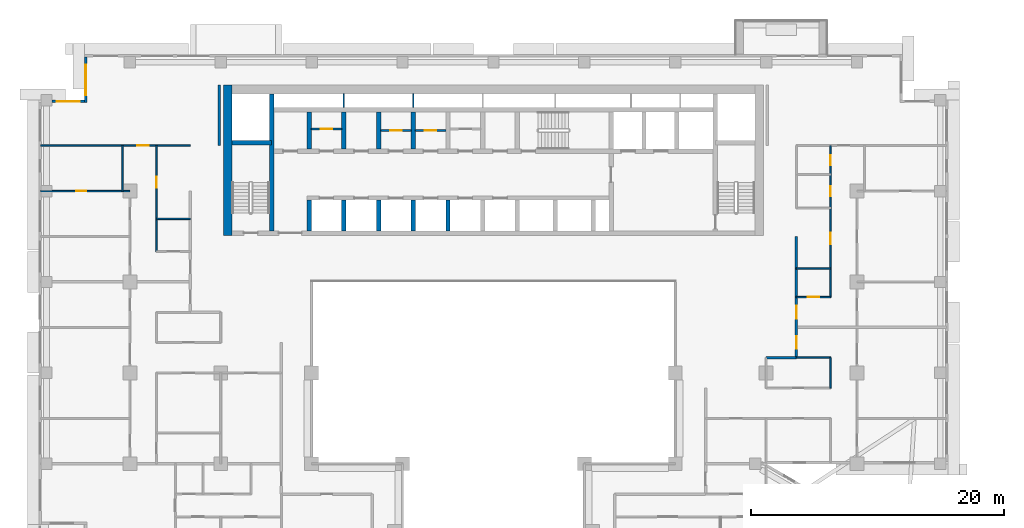
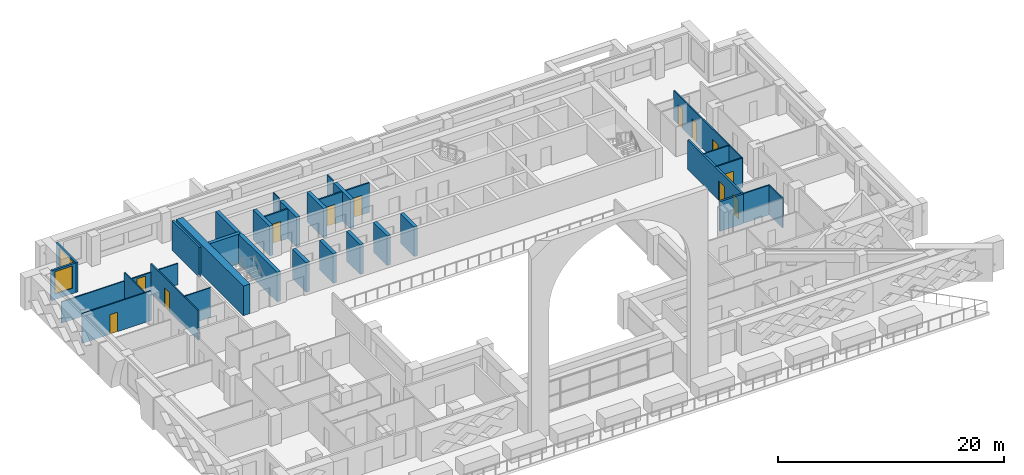
# One storey, part 9 of 17: 32 walls, 12 doors, 2 windows, 14 openings.
"""IFC4 building model written with IfcOpenShell, lengths in metres."""

from ifc_helpers import new_model, si_unit, direction, frame, frame_2d, origin, place, context, subcontext, project, spatial, rectangle, extrude, material, layer, layer_set, type_object, element, fill, save


model = new_model("IFC4")

# Units and contexts
model_context = context("Model", 3, precision=1e-05, world=origin(), true_north=direction((0.0, 1.0)))
body_context = subcontext(model_context, "Body", "Model", "MODEL_VIEW")
ifc_project = project(units=[si_unit("LENGTHUNIT", "METRE"), si_unit("AREAUNIT", "SQUARE_METRE"), si_unit("VOLUMEUNIT", "CUBIC_METRE"), si_unit("PLANEANGLEUNIT", "RADIAN"), si_unit("MASSUNIT", "GRAM", prefix="KILO")], contexts=[model_context])

# Site, building, storey
site_placement = place(None, origin())
site = spatial("IfcSite", under=ifc_project, at=site_placement, CompositionType="ELEMENT")
building_placement = place(site_placement, origin())
building = spatial("IfcBuilding", under=site, at=building_placement, Name="Saffron Iwan Residences", CompositionType="ELEMENT")
storey_placement = place(building_placement, frame((0.0, 0.0, 113.0)))
storey = spatial("IfcBuildingStorey", under=building, at=storey_placement, Name="L29", CompositionType="ELEMENT", Elevation=113.0)

# Wall, opening, door
ifc_material_1 = material(Name="Fire-rated plasterboard partition")
ifc_layer_1 = layer(ifc_material_1, 0.14990234375)
ifc_layer_set_1 = layer_set([ifc_layer_1], Name="Fire-rated plasterboard partition")
wall_type_1 = type_object("IfcWallType", Name="Core partition 150", PredefinedType="PARTITIONING", material=ifc_layer_set_1)
wall_1_placement = place(storey_placement, frame((35.97509765625, 74.51806640625, 0.0), z_axis=(0.0, 0.0, 1.0), x_axis=(1.0, 0.0, 0.0)))
wall_1 = element("IfcWall", 1, at=wall_1_placement, inside=storey, type_object=wall_type_1, Name="Core partition P01", PredefinedType="PARTITIONING", context=body_context, shape_type="SweptSolid", body=[
    extrude(rectangle(XDim=2.39990234375, YDim=0.14990234375, at=frame_2d((1.199951171875, 0.0))), origin(), (0.0, 0.0, 1.0), 3.199951171875),
])
opening_1_placement = place(wall_1_placement, frame((0.75, 0.0, 0.0)))
opening_1 = element("IfcOpeningElement", 2, at=opening_1_placement, cuts=wall_1, Name="Opening SB", PredefinedType="OPENING", context=body_context, shape_type="SweptSolid", body=[
    extrude(rectangle(XDim=0.89990234375, YDim=2.10009765625, at=frame_2d((0.449951171875, 1.050048828125))), frame((0.0, 0.0849609375, 0.0), z_axis=(0.0, -1.0, 0.0), x_axis=(1.0, 0.0, 0.0)), (0.0, 0.0, 1.0), 0.169921875),
])
ifc_material_2 = material(Name="Steel fire door", Category="steel")
door_type_1 = type_object("IfcDoorType", Name="Store door 900", OperationType="NOTDEFINED", PredefinedType="DOOR", material=ifc_material_2)
door_1_placement = place(opening_1_placement, origin())
door_1 = element("IfcDoor", 3, at=door_1_placement, inside=storey, type_object=door_type_1, Name="Door Records store", OperationType="SINGLE_SWING_RIGHT", OverallHeight=2.10009765625, OverallWidth=0.89990234375, PredefinedType="DOOR", context=body_context, shape_type="SweptSolid", body=[
    extrude(rectangle(XDim=0.89990234375, YDim=2.10009765625, at=frame_2d((0.449951171875, 1.050048828125))), frame((0.0, 0.02490234375, 0.0), z_axis=(0.0, -1.0, 0.0), x_axis=(1.0, 0.0, 0.0)), (0.0, 0.0, 1.0), 0.050048828125),
])
fill(opening_1, door_1)

wall_2_placement = place(storey_placement, frame((41.47509765625, 74.39990234375, 0.0), z_axis=(0.0, 0.0, 1.0), x_axis=(1.0, 0.0, 0.0)))
wall_2 = element("IfcWall", 4, at=wall_2_placement, inside=storey, type_object=wall_type_1, Name="Core partition P02", PredefinedType="PARTITIONING", context=body_context, shape_type="SweptSolid", body=[
    extrude(rectangle(XDim=2.39990234375, YDim=0.14990234375, at=frame_2d((1.199951171875, 0.0))), origin(), (0.0, 0.0, 1.0), 3.199951171875),
])
opening_2_placement = place(wall_2_placement, frame((0.75, 0.0, 0.0)))
opening_2 = element("IfcOpeningElement", 5, at=opening_2_placement, cuts=wall_2, Name="Opening SB", PredefinedType="OPENING", context=body_context, shape_type="SweptSolid", body=[
    extrude(rectangle(XDim=0.89990234375, YDim=2.10009765625, at=frame_2d((0.449951171875, 1.050048828125))), frame((0.0, 0.0849609375, 0.0), z_axis=(0.0, -1.0, 0.0), x_axis=(1.0, 0.0, 0.0)), (0.0, 0.0, 1.0), 0.169921875),
])
door_2_placement = place(opening_2_placement, origin())
door_2 = element("IfcDoor", 6, at=door_2_placement, inside=storey, type_object=door_type_1, Name="Door Tool store", OperationType="SINGLE_SWING_LEFT", OverallHeight=2.10009765625, OverallWidth=0.89990234375, PredefinedType="DOOR", context=body_context, shape_type="SweptSolid", body=[
    extrude(rectangle(XDim=0.89990234375, YDim=2.10009765625, at=frame_2d((0.449951171875, 1.050048828125))), frame((0.0, 0.02490234375, 0.0), z_axis=(0.0, -1.0, 0.0), x_axis=(1.0, 0.0, 0.0)), (0.0, 0.0, 1.0), 0.050048828125),
])
fill(opening_2, door_2)

wall_3_placement = place(storey_placement, frame((44.22509765625, 74.39990234375, 0.0), z_axis=(0.0, 0.0, 1.0), x_axis=(1.0, 0.0, 0.0)))
wall_3 = element("IfcWall", 7, at=wall_3_placement, inside=storey, type_object=wall_type_1, Name="Core partition P03", PredefinedType="PARTITIONING", context=body_context, shape_type="SweptSolid", body=[
    extrude(rectangle(XDim=2.39990234375, YDim=0.14990234375, at=frame_2d((1.199951171875, 0.0))), origin(), (0.0, 0.0, 1.0), 3.199951171875),
])
opening_3_placement = place(wall_3_placement, frame((0.75, 0.0, 0.0)))
opening_3 = element("IfcOpeningElement", 8, at=opening_3_placement, cuts=wall_3, Name="Opening SB", PredefinedType="OPENING", context=body_context, shape_type="SweptSolid", body=[
    extrude(rectangle(XDim=0.89990234375, YDim=2.10009765625, at=frame_2d((0.449951171875, 1.050048828125))), frame((0.0, 0.0849609375, 0.0), z_axis=(0.0, -1.0, 0.0), x_axis=(1.0, 0.0, 0.0)), (0.0, 0.0, 1.0), 0.169921875),
])
door_3_placement = place(opening_3_placement, origin())
door_3 = element("IfcDoor", 9, at=door_3_placement, inside=storey, type_object=door_type_1, Name="Door Cabling room", OperationType="SINGLE_SWING_RIGHT", OverallHeight=2.10009765625, OverallWidth=0.89990234375, PredefinedType="DOOR", context=body_context, shape_type="SweptSolid", body=[
    extrude(rectangle(XDim=0.89990234375, YDim=2.10009765625, at=frame_2d((0.449951171875, 1.050048828125))), frame((0.0, 0.02490234375, 0.0), z_axis=(0.0, -1.0, 0.0), x_axis=(1.0, 0.0, 0.0)), (0.0, 0.0, 1.0), 0.050048828125),
])
fill(opening_3, door_3)

# Wall, opening, window
ifc_material_3 = material(Name="Concrete C40/50", Category="concrete")
ifc_layer_2 = layer(ifc_material_3, 0.199951171875)
ifc_layer_set_2 = layer_set([ifc_layer_2], Name="Concrete C40/50")
wall_type_2 = type_object("IfcWallType", Name="EXTERNAL WALL 200", PredefinedType="SOLIDWALL", material=ifc_layer_set_2)
wall_4_placement = place(storey_placement, frame((18.10009765625, 80.199951171875, 0.0), z_axis=(0.0, 0.0, 1.0), x_axis=(0.0, -1.0, 0.0)))
wall_4 = element("IfcWall", 10, at=wall_4_placement, inside=storey, type_object=wall_type_2, Name="External wall L29 F6.0", PredefinedType="SOLIDWALL", context=body_context, shape_type="SweptSolid", body=[
    extrude(rectangle(XDim=3.599853515625, YDim=0.199951171875, at=frame_2d((1.7998046875, 0.0))), origin(), (0.0, 0.0, 1.0), 3.199951171875),
])
opening_4_placement = place(wall_4_placement, frame((0.60009765625, 0.0, 0.60009765625)))
opening_4 = element("IfcOpeningElement", 11, at=opening_4_placement, cuts=wall_4, Name="Opening W1", PredefinedType="OPENING", context=body_context, shape_type="SweptSolid", body=[
    extrude(rectangle(XDim=2.39990234375, YDim=2.39990234375, at=frame_2d((1.199951171875, 1.199951171875))), frame((0.0, 0.10986328125, 0.0), z_axis=(0.0, -1.0, 0.0), x_axis=(1.0, 0.0, 0.0)), (0.0, 0.0, 1.0), 0.219970703125),
])
ifc_material_4 = material(Name="Clear glass, laminated double glazed", Category="glass")
window_type_1 = type_object("IfcWindowType", Name="WINDOW 2400 x 2400", PartitioningType="DOUBLE_PANEL_VERTICAL", PredefinedType="WINDOW", material=ifc_material_4)
window_1_placement = place(opening_4_placement, origin())
window_1 = element("IfcWindow", 12, at=window_1_placement, inside=storey, type_object=window_type_1, Name="Window L29 F6.0", OverallHeight=2.39990234375, OverallWidth=2.39990234375, PartitioningType="DOUBLE_PANEL_VERTICAL", PredefinedType="WINDOW", context=body_context, shape_type="SweptSolid", body=[
    extrude(rectangle(XDim=2.39990234375, YDim=2.39990234375, at=frame_2d((1.199951171875, 1.199951171875))), frame((0.0, 0.030029296875, 0.0), z_axis=(0.0, -1.0, 0.0), x_axis=(1.0, 0.0, 0.0)), (0.0, 0.0, 1.0), 0.06005859375),
])
fill(opening_4, window_1)

wall_5_placement = place(storey_placement, frame((18.0, 76.699951171875, 0.0), z_axis=(0.0, 0.0, 1.0), x_axis=(-1.0, 0.0, 0.0)))
wall_5 = element("IfcWall", 13, at=wall_5_placement, inside=storey, type_object=wall_type_2, Name="External wall L29 F7.0", PredefinedType="SOLIDWALL", context=body_context, shape_type="SweptSolid", body=[
    extrude(rectangle(XDim=2.550048828125, YDim=0.199951171875, at=frame_2d((1.27490234375, 0.0))), origin(), (0.0, 0.0, 1.0), 3.199951171875),
])
opening_5_placement = place(wall_5_placement, frame((0.375, 0.0, 0.60009765625)))
opening_5 = element("IfcOpeningElement", 14, at=opening_5_placement, cuts=wall_5, Name="Opening W8", PredefinedType="OPENING", context=body_context, shape_type="SweptSolid", body=[
    extrude(rectangle(XDim=1.800048828125, YDim=2.39990234375, at=frame_2d((0.89990234375, 1.199951171875))), frame((0.0, 0.10986328125, 0.0), z_axis=(0.0, -1.0, 0.0), x_axis=(1.0, 0.0, 0.0)), (0.0, 0.0, 1.0), 0.219970703125),
])
window_type_2 = type_object("IfcWindowType", Name="WINDOW 1800 x 2400", PartitioningType="DOUBLE_PANEL_VERTICAL", PredefinedType="WINDOW", material=ifc_material_4)
window_2_placement = place(opening_5_placement, origin())
window_2 = element("IfcWindow", 15, at=window_2_placement, inside=storey, type_object=window_type_2, Name="Window L29 F7.0", OverallHeight=2.39990234375, OverallWidth=1.800048828125, PartitioningType="DOUBLE_PANEL_VERTICAL", PredefinedType="WINDOW", context=body_context, shape_type="SweptSolid", body=[
    extrude(rectangle(XDim=1.800048828125, YDim=2.39990234375, at=frame_2d((0.89990234375, 1.199951171875))), frame((0.0, 0.030029296875, 0.0), z_axis=(0.0, -1.0, 0.0), x_axis=(1.0, 0.0, 0.0)), (0.0, 0.0, 1.0), 0.06005859375),
])
fill(opening_5, window_2)

# Wall
ifc_material_5 = material(Name="Gypsum board partition")
ifc_layer_3 = layer(ifc_material_5, 0.1201171875)
ifc_layer_set_3 = layer_set([ifc_layer_3], Name="Gypsum board partition")
wall_type_3 = type_object("IfcWallType", Name="Flat partition 120", PredefinedType="PARTITIONING", material=ifc_layer_set_3)
wall_6_placement = place(storey_placement, frame((74.39990234375, 56.39990234375, 0.0), z_axis=(0.0, 0.0, 1.0), x_axis=(1.0, 0.0, 0.0)))
element("IfcWall", 16, at=wall_6_placement, inside=storey, type_object=wall_type_3, Name="W-L29-PART-h56.4-74.4", PredefinedType="PARTITIONING", context=body_context, shape_type="SweptSolid", body=[
    extrude(rectangle(XDim=2.7001953125, YDim=0.1201171875, at=frame_2d((1.35009765625, 0.0))), origin(), (0.0, 0.0, 1.0), 3.199951171875),
])

# Wall, opening, door
wall_7_placement = place(storey_placement, frame((74.39990234375, 61.199951171875, 0.0), z_axis=(0.0, 0.0, 1.0), x_axis=(1.0, 0.0, 0.0)))
wall_7 = element("IfcWall", 17, at=wall_7_placement, inside=storey, type_object=wall_type_3, Name="W-L29-PART-h61.2-74.4", PredefinedType="PARTITIONING", context=body_context, shape_type="SweptSolid", body=[
    extrude(rectangle(XDim=2.7001953125, YDim=0.1201171875, at=frame_2d((1.35009765625, 0.0))), origin(), (0.0, 0.0, 1.0), 3.199951171875),
])
opening_6_placement = place(wall_7_placement, frame((0.89990234375, 0.0, 0.0)))
opening_6 = element("IfcOpeningElement", 18, at=opening_6_placement, cuts=wall_7, Name="Opening FD2", PredefinedType="OPENING", context=body_context, shape_type="SweptSolid", body=[
    extrude(rectangle(XDim=0.89990234375, YDim=2.10009765625, at=frame_2d((0.449951171875, 1.050048828125))), frame((0.0, 0.070068359375, 0.0), z_axis=(0.0, -1.0, 0.0), x_axis=(1.0, 0.0, 0.0)), (0.0, 0.0, 1.0), 0.14013671875),
])
ifc_material_6 = material(Name="Timber door", Category="wood")
door_type_2 = type_object("IfcDoorType", Name="Flat door 900", OperationType="NOTDEFINED", PredefinedType="DOOR", material=ifc_material_6)
door_4_placement = place(opening_6_placement, origin())
door_4 = element("IfcDoor", 19, at=door_4_placement, inside=storey, type_object=door_type_2, Name="Door L29-034", OperationType="SINGLE_SWING_LEFT", OverallHeight=2.10009765625, OverallWidth=0.89990234375, PredefinedType="DOOR", context=body_context, shape_type="SweptSolid", body=[
    extrude(rectangle(XDim=0.89990234375, YDim=2.10009765625, at=frame_2d((0.449951171875, 1.050048828125))), frame((0.0, 0.02490234375, 0.0), z_axis=(0.0, -1.0, 0.0), x_axis=(1.0, 0.0, 0.0)), (0.0, 0.0, 1.0), 0.050048828125),
])
fill(opening_6, door_4)

# Walls
wall_8_placement = place(storey_placement, frame((74.39990234375, 63.449951171875, 0.0), z_axis=(0.0, 0.0, 1.0), x_axis=(1.0, 0.0, 0.0)))
element("IfcWall", 20, at=wall_8_placement, inside=storey, type_object=wall_type_3, Name="W-L29-PART-h63.45-74.4", PredefinedType="PARTITIONING", context=body_context, shape_type="SweptSolid", body=[
    extrude(rectangle(XDim=2.7001953125, YDim=0.1201171875, at=frame_2d((1.35009765625, 0.0))), origin(), (0.0, 0.0, 1.0), 3.199951171875),
])
wall_9_placement = place(storey_placement, frame((23.699951171875, 67.39990234375, 0.0), z_axis=(0.0, 0.0, 1.0), x_axis=(1.0, 0.0, 0.0)))
element("IfcWall", 21, at=wall_9_placement, inside=storey, type_object=wall_type_3, Name="W-L29-PART-h67.4-23.7", PredefinedType="PARTITIONING", context=body_context, shape_type="SweptSolid", body=[
    extrude(rectangle(XDim=2.699951171875, YDim=0.1201171875, at=frame_2d((1.35009765625, 0.0))), origin(), (0.0, 0.0, 1.0), 3.199951171875),
])

# Wall, opening, door
wall_10_placement = place(storey_placement, frame((14.52490234375, 69.60009765625, 0.0), z_axis=(0.0, 0.0, 1.0), x_axis=(1.0, 0.0, 0.0)))
wall_10 = element("IfcWall", 22, at=wall_10_placement, inside=storey, type_object=wall_type_3, Name="W-L29-PART-h69.6-14.525", PredefinedType="PARTITIONING", context=body_context, shape_type="SweptSolid", body=[
    extrude(rectangle(XDim=7.0751953125, YDim=0.1201171875, at=frame_2d((3.53759765625, 0.0))), origin(), (0.0, 0.0, 1.0), 3.199951171875),
])
opening_7_placement = place(wall_10_placement, frame((2.83740234375, 0.0, 0.0)))
opening_7 = element("IfcOpeningElement", 23, at=opening_7_placement, cuts=wall_10, Name="Opening FD3", PredefinedType="OPENING", context=body_context, shape_type="SweptSolid", body=[
    extrude(rectangle(XDim=0.800048828125, YDim=2.10009765625, at=frame_2d((0.39990234375, 1.050048828125))), frame((0.0, 0.070068359375, 0.0), z_axis=(0.0, -1.0, 0.0), x_axis=(1.0, 0.0, 0.0)), (0.0, 0.0, 1.0), 0.14013671875),
])
door_type_3 = type_object("IfcDoorType", Name="Bathroom door 800", OperationType="NOTDEFINED", PredefinedType="DOOR", material=ifc_material_6)
door_5_placement = place(opening_7_placement, origin())
door_5 = element("IfcDoor", 24, at=door_5_placement, inside=storey, type_object=door_type_3, Name="Door L29-025", OperationType="SINGLE_SWING_LEFT", OverallHeight=2.10009765625, OverallWidth=0.800048828125, PredefinedType="DOOR", context=body_context, shape_type="SweptSolid", body=[
    extrude(rectangle(XDim=0.800048828125, YDim=2.10009765625, at=frame_2d((0.39990234375, 1.050048828125))), frame((0.0, 0.02490234375, 0.0), z_axis=(0.0, -1.0, 0.0), x_axis=(1.0, 0.0, 0.0)), (0.0, 0.0, 1.0), 0.050048828125),
])
fill(opening_7, door_5)

wall_11_placement = place(storey_placement, frame((14.52490234375, 73.199951171875, 0.0), z_axis=(0.0, 0.0, 1.0), x_axis=(1.0, 0.0, 0.0)))
wall_11 = element("IfcWall", 25, at=wall_11_placement, inside=storey, type_object=wall_type_3, Name="W-L29-PART-h73.2-14.525", PredefinedType="PARTITIONING", context=body_context, shape_type="SweptSolid", body=[
    extrude(rectangle(XDim=11.875, YDim=0.1201171875, at=frame_2d((5.9375, 0.0))), origin(), (0.0, 0.0, 1.0), 2.300048828125),
])
opening_8_placement = place(wall_11_placement, frame((7.675048828125, 0.0, 0.0)))
opening_8 = element("IfcOpeningElement", 26, at=opening_8_placement, cuts=wall_11, Name="Opening FD2", PredefinedType="OPENING", context=body_context, shape_type="SweptSolid", body=[
    extrude(rectangle(XDim=0.89990234375, YDim=2.10009765625, at=frame_2d((0.449951171875, 1.050048828125))), frame((0.0, 0.070068359375, 0.0), z_axis=(0.0, -1.0, 0.0), x_axis=(1.0, 0.0, 0.0)), (0.0, 0.0, 1.0), 0.14013671875),
])
door_6_placement = place(opening_8_placement, origin())
door_6 = element("IfcDoor", 27, at=door_6_placement, inside=storey, type_object=door_type_2, Name="Door L29-026", OperationType="SINGLE_SWING_RIGHT", OverallHeight=2.10009765625, OverallWidth=0.89990234375, PredefinedType="DOOR", context=body_context, shape_type="SweptSolid", body=[
    extrude(rectangle(XDim=0.89990234375, YDim=2.10009765625, at=frame_2d((0.449951171875, 1.050048828125))), frame((0.0, 0.02490234375, 0.0), z_axis=(0.0, -1.0, 0.0), x_axis=(1.0, 0.0, 0.0)), (0.0, 0.0, 1.0), 0.050048828125),
])
fill(opening_8, door_6)

# Wall
wall_12_placement = place(storey_placement, frame((21.0, 69.60009765625, 0.0), z_axis=(0.0, 0.0, 1.0), x_axis=(0.0, 1.0, 0.0)))
element("IfcWall", 28, at=wall_12_placement, inside=storey, type_object=wall_type_3, Name="W-L29-PART-v21-69.6", PredefinedType="PARTITIONING", context=body_context, shape_type="SweptSolid", body=[
    extrude(rectangle(XDim=3.599853515625, YDim=0.1201171875, at=frame_2d((1.7998046875, 0.0))), origin(), (0.0, 0.0, 1.0), 3.199951171875),
])

# Wall, opening, door
wall_13_placement = place(storey_placement, frame((23.699951171875, 64.800048828125, 0.0), z_axis=(0.0, 0.0, 1.0), x_axis=(0.0, 1.0, 0.0)))
wall_13 = element("IfcWall", 29, at=wall_13_placement, inside=storey, type_object=wall_type_3, Name="W-L29-PART-v23.7-64.8", PredefinedType="PARTITIONING", context=body_context, shape_type="SweptSolid", body=[
    extrude(rectangle(XDim=8.39990234375, YDim=0.1201171875, at=frame_2d((4.199951171875, 0.0))), origin(), (0.0, 0.0, 1.0), 3.199951171875),
])
opening_9_placement = place(wall_13_placement, frame((5.050048828125, 0.0, 0.0)))
opening_9 = element("IfcOpeningElement", 30, at=opening_9_placement, cuts=wall_13, Name="Opening FD2", PredefinedType="OPENING", context=body_context, shape_type="SweptSolid", body=[
    extrude(rectangle(XDim=0.89990234375, YDim=2.10009765625, at=frame_2d((0.449951171875, 1.050048828125))), frame((0.0, 0.070068359375, 0.0), z_axis=(0.0, -1.0, 0.0), x_axis=(1.0, 0.0, 0.0)), (0.0, 0.0, 1.0), 0.14013671875),
])
door_7_placement = place(opening_9_placement, origin())
door_7 = element("IfcDoor", 31, at=door_7_placement, inside=storey, type_object=door_type_2, Name="Door L29-028", OperationType="SINGLE_SWING_LEFT", OverallHeight=2.10009765625, OverallWidth=0.89990234375, PredefinedType="DOOR", context=body_context, shape_type="SweptSolid", body=[
    extrude(rectangle(XDim=0.89990234375, YDim=2.10009765625, at=frame_2d((0.449951171875, 1.050048828125))), frame((0.0, 0.02490234375, 0.0), z_axis=(0.0, -1.0, 0.0), x_axis=(1.0, 0.0, 0.0)), (0.0, 0.0, 1.0), 0.050048828125),
])
fill(opening_9, door_7)

# Wall
wall_14_placement = place(storey_placement, frame((77.10009765625, 54.0, 0.0), z_axis=(0.0, 0.0, 1.0), x_axis=(0.0, 1.0, 0.0)))
element("IfcWall", 32, at=wall_14_placement, inside=storey, type_object=wall_type_3, Name="W-L29-PART-v77.1-54", PredefinedType="PARTITIONING", context=body_context, shape_type="SweptSolid", body=[
    extrude(rectangle(XDim=2.39990234375, YDim=0.1201171875, at=frame_2d((1.199951171875, 0.0))), origin(), (0.0, 0.0, 1.0), 3.199951171875),
])

# Wall, openings, doors
wall_15_placement = place(storey_placement, frame((77.10009765625, 61.199951171875, 0.0), z_axis=(0.0, 0.0, 1.0), x_axis=(0.0, 1.0, 0.0)))
wall_15 = element("IfcWall", 33, at=wall_15_placement, inside=storey, type_object=wall_type_3, Name="W-L29-PART-v77.1-61.2", PredefinedType="PARTITIONING", context=body_context, shape_type="SweptSolid", body=[
    extrude(rectangle(XDim=12.0, YDim=0.1201171875, at=frame_2d((6.0, 0.0))), origin(), (0.0, 0.0, 1.0), 3.199951171875),
])
opening_10_placement = place(wall_15_placement, frame((4.199951171875, 0.0, 0.0)))
opening_10 = element("IfcOpeningElement", 34, at=opening_10_placement, cuts=wall_15, Name="Opening FD2", PredefinedType="OPENING", context=body_context, shape_type="SweptSolid", body=[
    extrude(rectangle(XDim=0.89990234375, YDim=2.10009765625, at=frame_2d((0.449951171875, 1.050048828125))), frame((0.0, 0.070068359375, 0.0), z_axis=(0.0, -1.0, 0.0), x_axis=(1.0, 0.0, 0.0)), (0.0, 0.0, 1.0), 0.14013671875),
])
opening_11_placement = place(wall_15_placement, frame((7.97509765625, 0.0, 0.0)))
opening_11 = element("IfcOpeningElement", 35, at=opening_11_placement, cuts=wall_15, Name="Opening FD3", PredefinedType="OPENING", context=body_context, shape_type="SweptSolid", body=[
    extrude(rectangle(XDim=0.800048828125, YDim=2.10009765625, at=frame_2d((0.39990234375, 1.050048828125))), frame((0.0, 0.070068359375, 0.0), z_axis=(0.0, -1.0, 0.0), x_axis=(1.0, 0.0, 0.0)), (0.0, 0.0, 1.0), 0.14013671875),
])
opening_12_placement = place(wall_15_placement, frame((10.449951171875, 0.0, 0.0)))
opening_12 = element("IfcOpeningElement", 36, at=opening_12_placement, cuts=wall_15, Name="Opening FD3", PredefinedType="OPENING", context=body_context, shape_type="SweptSolid", body=[
    extrude(rectangle(XDim=0.800048828125, YDim=2.10009765625, at=frame_2d((0.39990234375, 1.050048828125))), frame((0.0, 0.070068359375, 0.0), z_axis=(0.0, -1.0, 0.0), x_axis=(1.0, 0.0, 0.0)), (0.0, 0.0, 1.0), 0.14013671875),
])
door_8_placement = place(opening_11_placement, origin())
door_8 = element("IfcDoor", 37, at=door_8_placement, inside=storey, type_object=door_type_3, Name="Door L29-036", OperationType="SINGLE_SWING_LEFT", OverallHeight=2.10009765625, OverallWidth=0.800048828125, PredefinedType="DOOR", context=body_context, shape_type="SweptSolid", body=[
    extrude(rectangle(XDim=0.800048828125, YDim=2.10009765625, at=frame_2d((0.39990234375, 1.050048828125))), frame((0.0, 0.02490234375, 0.0), z_axis=(0.0, -1.0, 0.0), x_axis=(1.0, 0.0, 0.0)), (0.0, 0.0, 1.0), 0.050048828125),
])
fill(opening_11, door_8)
door_9_placement = place(opening_12_placement, origin())
door_9 = element("IfcDoor", 38, at=door_9_placement, inside=storey, type_object=door_type_3, Name="Door L29-037", OperationType="SINGLE_SWING_LEFT", OverallHeight=2.10009765625, OverallWidth=0.800048828125, PredefinedType="DOOR", context=body_context, shape_type="SweptSolid", body=[
    extrude(rectangle(XDim=0.800048828125, YDim=2.10009765625, at=frame_2d((0.39990234375, 1.050048828125))), frame((0.0, 0.02490234375, 0.0), z_axis=(0.0, -1.0, 0.0), x_axis=(1.0, 0.0, 0.0)), (0.0, 0.0, 1.0), 0.050048828125),
])
fill(opening_12, door_9)
door_10_placement = place(opening_10_placement, origin())
door_10 = element("IfcDoor", 39, at=door_10_placement, inside=storey, type_object=door_type_2, Name="Door L29-035", OperationType="SINGLE_SWING_RIGHT", OverallHeight=2.10009765625, OverallWidth=0.89990234375, PredefinedType="DOOR", context=body_context, shape_type="SweptSolid", body=[
    extrude(rectangle(XDim=0.89990234375, YDim=2.10009765625, at=frame_2d((0.449951171875, 1.050048828125))), frame((0.0, 0.02490234375, 0.0), z_axis=(0.0, -1.0, 0.0), x_axis=(1.0, 0.0, 0.0)), (0.0, 0.0, 1.0), 0.050048828125),
])
fill(opening_10, door_10)

# Walls
ifc_material_7 = material(Name="Fire-rated gypsum board wall")
ifc_layer_4 = layer(ifc_material_7, 0.199951171875)
ifc_layer_set_4 = layer_set([ifc_layer_4], Name="Fire-rated gypsum board wall")
wall_type_4 = type_object("IfcWallType", Name="Gallery wall 200", PredefinedType="SOLIDWALL", material=ifc_layer_set_4)
wall_16_placement = place(storey_placement, frame((72.0, 56.39990234375, 0.0), z_axis=(0.0, 0.0, 1.0), x_axis=(1.0, 0.0, 0.0)))
element("IfcWall", 40, at=wall_16_placement, inside=storey, type_object=wall_type_4, Name="W-L29-CORR-h56.4-72", PredefinedType="SOLIDWALL", context=body_context, shape_type="SweptSolid", body=[
    extrude(rectangle(XDim=2.39990234375, YDim=0.199951171875, at=frame_2d((1.199951171875, 0.0))), origin(), (0.0, 0.0, 1.0), 3.199951171875),
])
wall_17_placement = place(storey_placement, frame((28.699951171875, 73.199951171875, 0.0), z_axis=(0.0, 0.0, 1.0), x_axis=(0.0, 1.0, 0.0)))
element("IfcWall", 41, at=wall_17_placement, inside=storey, type_object=wall_type_4, Name="W-L29-CORR-v28.8-73.2", PredefinedType="SOLIDWALL", context=body_context, shape_type="SweptSolid", body=[
    extrude(rectangle(XDim=4.800048828125, YDim=0.199951171875, at=frame_2d((2.39990234375, 0.0))), origin(), (0.0, 0.0, 1.0), 3.199951171875),
])

# Wall, openings, doors
wall_18_placement = place(storey_placement, frame((74.39990234375, 56.39990234375, 0.0), z_axis=(0.0, 0.0, 1.0), x_axis=(0.0, 1.0, 0.0)))
wall_18 = element("IfcWall", 42, at=wall_18_placement, inside=storey, type_object=wall_type_4, Name="W-L29-CORR-v74.4-56.4", PredefinedType="SOLIDWALL", context=body_context, shape_type="SweptSolid", body=[
    extrude(rectangle(XDim=9.60009765625, YDim=0.199951171875, at=frame_2d((4.800048828125, 0.0))), origin(), (0.0, 0.0, 1.0), 3.199951171875),
])
opening_13_placement = place(wall_18_placement, frame((0.699951171875, 0.0, 0.0)))
opening_13 = element("IfcOpeningElement", 43, at=opening_13_placement, cuts=wall_18, Name="Opening FD1", PredefinedType="OPENING", context=body_context, shape_type="SweptSolid", body=[
    extrude(rectangle(XDim=1.0, YDim=2.10009765625, at=frame_2d((0.5, 1.050048828125))), frame((0.0, 0.10986328125, 0.0), z_axis=(0.0, -1.0, 0.0), x_axis=(1.0, 0.0, 0.0)), (0.0, 0.0, 1.0), 0.219970703125),
])
opening_14_placement = place(wall_18_placement, frame((3.10009765625, 0.0, 0.0)))
opening_14 = element("IfcOpeningElement", 44, at=opening_14_placement, cuts=wall_18, Name="Opening FD1", PredefinedType="OPENING", context=body_context, shape_type="SweptSolid", body=[
    extrude(rectangle(XDim=1.0, YDim=2.10009765625, at=frame_2d((0.5, 1.050048828125))), frame((0.0, 0.10986328125, 0.0), z_axis=(0.0, -1.0, 0.0), x_axis=(1.0, 0.0, 0.0)), (0.0, 0.0, 1.0), 0.219970703125),
])
ifc_material_8 = material(Name="Fire-rated timber door", Category="wood")
door_type_4 = type_object("IfcDoorType", Name="FD30S flat entrance door 1000", OperationType="NOTDEFINED", PredefinedType="DOOR", material=ifc_material_8)
door_11_placement = place(opening_13_placement, origin())
door_11 = element("IfcDoor", 45, at=door_11_placement, inside=storey, type_object=door_type_4, Name="Door L29-016", OperationType="SINGLE_SWING_LEFT", OverallHeight=2.10009765625, OverallWidth=1.0, PredefinedType="DOOR", context=body_context, shape_type="SweptSolid", body=[
    extrude(rectangle(XDim=1.0, YDim=2.10009765625, at=frame_2d((0.5, 1.050048828125))), frame((0.0, 0.02490234375, 0.0), z_axis=(0.0, -1.0, 0.0), x_axis=(1.0, 0.0, 0.0)), (0.0, 0.0, 1.0), 0.050048828125),
])
fill(opening_13, door_11)
door_12_placement = place(opening_14_placement, origin())
door_12 = element("IfcDoor", 46, at=door_12_placement, inside=storey, type_object=door_type_4, Name="Door L29-029", OperationType="SINGLE_SWING_RIGHT", OverallHeight=2.10009765625, OverallWidth=1.0, PredefinedType="DOOR", context=body_context, shape_type="SweptSolid", body=[
    extrude(rectangle(XDim=1.0, YDim=2.10009765625, at=frame_2d((0.5, 1.050048828125))), frame((0.0, 0.02490234375, 0.0), z_axis=(0.0, -1.0, 0.0), x_axis=(1.0, 0.0, 0.0)), (0.0, 0.0, 1.0), 0.050048828125),
])
fill(opening_14, door_12)

# Walls
ifc_layer_5 = layer(ifc_material_1, 0.10009765625)
ifc_layer_set_5 = layer_set([ifc_layer_5], Name="Fire-rated plasterboard partition")
wall_type_5 = type_object("IfcWallType", Name="Riser partition 100", PredefinedType="PARTITIONING", material=ifc_layer_set_5)
for number, where, z_axis, x_axis, name in (
    (47, (38.550048828125, 76.22509765625, 0.0), (0.0, 0.0, 1.0), (0.0, 1.0, 0.0), "Core partition P05"),
    (48, (44.050048828125, 76.22509765625, 0.0), (0.0, 0.0, 1.0), (0.0, 1.0, 0.0), "Core partition P06"),
):
    element("IfcWall", number, at=place(storey_placement, frame(where, z_axis=z_axis, x_axis=x_axis)), inside=storey, type_object=wall_type_5, Name=name, PredefinedType="PARTITIONING", context=body_context, shape_type="SweptSolid", body=[
        extrude(rectangle(XDim=1.074951171875, YDim=0.10009765625, at=frame_2d((0.53759765625, 0.0))), origin(), (0.0, 0.0, 1.0), 3.199951171875),
    ])
ifc_material_9 = material(Name="Concrete C50/60", Category="concrete")
ifc_layer_6 = layer(ifc_material_9, 0.35009765625)
ifc_layer_set_6 = layer_set([ifc_layer_6], Name="Concrete C50/60")
wall_type_6 = type_object("IfcWallType", Name="WALL CORE 350 C50/60 3200 HIGH", PredefinedType="SHEAR", material=ifc_layer_set_6)
wall_19_placement = place(storey_placement, frame((29.699951171875, 73.425048828125, 0.0), z_axis=(0.0, 0.0, 1.0), x_axis=(1.0, 0.0, 0.0)))
element("IfcWall", 49, at=wall_19_placement, inside=storey, type_object=wall_type_6, Name="Core wall", PredefinedType="SHEAR", context=body_context, shape_type="SweptSolid", body=[
    extrude(rectangle(XDim=3.125, YDim=0.35009765625, at=frame_2d((1.5625, 0.0))), origin(), (0.0, 0.0, 1.0), 3.199951171875),
])
wall_20_placement = place(storey_placement, frame((32.824951171875, 66.449951171875, 0.0), z_axis=(0.0, 0.0, 1.0), x_axis=(0.0, 1.0, 0.0)))
element("IfcWall", 50, at=wall_20_placement, inside=storey, type_object=wall_type_6, Name="Core wall", PredefinedType="SHEAR", context=body_context, shape_type="SweptSolid", body=[
    extrude(rectangle(XDim=10.85009765625, YDim=0.35009765625, at=frame_2d((5.425048828125, 0.0))), origin(), (0.0, 0.0, 1.0), 3.199951171875),
])
for number, where, z_axis, x_axis, name in (
    (51, (35.800048828125, 66.449951171875, 0.0), (0.0, 0.0, 1.0), (0.0, 1.0, 0.0), "Core wall"),
    (52, (38.550048828125, 66.449951171875, 0.0), (0.0, 0.0, 1.0), (0.0, 1.0, 0.0), "Core wall"),
    (53, (41.300048828125, 66.449951171875, 0.0), (0.0, 0.0, 1.0), (0.0, 1.0, 0.0), "Core wall"),
    (54, (44.050048828125, 66.449951171875, 0.0), (0.0, 0.0, 1.0), (0.0, 1.0, 0.0), "Core wall"),
    (55, (46.800048828125, 66.449951171875, 0.0), (0.0, 0.0, 1.0), (0.0, 1.0, 0.0), "Core wall"),
):
    element("IfcWall", number, at=place(storey_placement, frame(where, z_axis=z_axis, x_axis=x_axis)), inside=storey, type_object=wall_type_6, Name=name, PredefinedType="SHEAR", context=body_context, shape_type="SweptSolid", body=[
        extrude(rectangle(XDim=2.425048828125, YDim=0.35009765625, at=frame_2d((1.21240234375, 0.0))), origin(), (0.0, 0.0, 1.0), 3.199951171875),
    ])
for number, where, z_axis, x_axis, name in (
    (56, (35.800048828125, 72.925048828125, 0.0), (0.0, 0.0, 1.0), (0.0, 1.0, 0.0), "Core wall"),
    (57, (38.550048828125, 72.925048828125, 0.0), (0.0, 0.0, 1.0), (0.0, 1.0, 0.0), "Core wall"),
    (58, (41.300048828125, 72.925048828125, 0.0), (0.0, 0.0, 1.0), (0.0, 1.0, 0.0), "Core wall"),
    (59, (44.050048828125, 72.925048828125, 0.0), (0.0, 0.0, 1.0), (0.0, 1.0, 0.0), "Core wall"),
):
    element("IfcWall", number, at=place(storey_placement, frame(where, z_axis=z_axis, x_axis=x_axis)), inside=storey, type_object=wall_type_6, Name=name, PredefinedType="SHEAR", context=body_context, shape_type="SweptSolid", body=[
        extrude(rectangle(XDim=2.949951171875, YDim=0.35009765625, at=frame_2d((1.47509765625, 0.0))), origin(), (0.0, 0.0, 1.0), 3.199951171875),
    ])
ifc_layer_7 = layer(ifc_material_9, 0.699951171875)
ifc_layer_set_7 = layer_set([ifc_layer_7], Name="Concrete C50/60")
wall_type_7 = type_object("IfcWallType", Name="WALL CORE 700 C50/60 3200 HIGH", PredefinedType="SHEAR", material=ifc_layer_set_7)
wall_21_placement = place(storey_placement, frame((29.35009765625, 66.10009765625, 0.0), z_axis=(0.0, 0.0, 1.0), x_axis=(0.0, 1.0, 0.0)))
element("IfcWall", 60, at=wall_21_placement, inside=storey, type_object=wall_type_7, Name="Core wall", PredefinedType="SHEAR", context=body_context, shape_type="SweptSolid", body=[
    extrude(rectangle(XDim=11.89990234375, YDim=0.699951171875, at=frame_2d((5.949951171875, 0.0))), origin(), (0.0, 0.0, 1.0), 3.199951171875),
])

save(model, "model.ifc")
